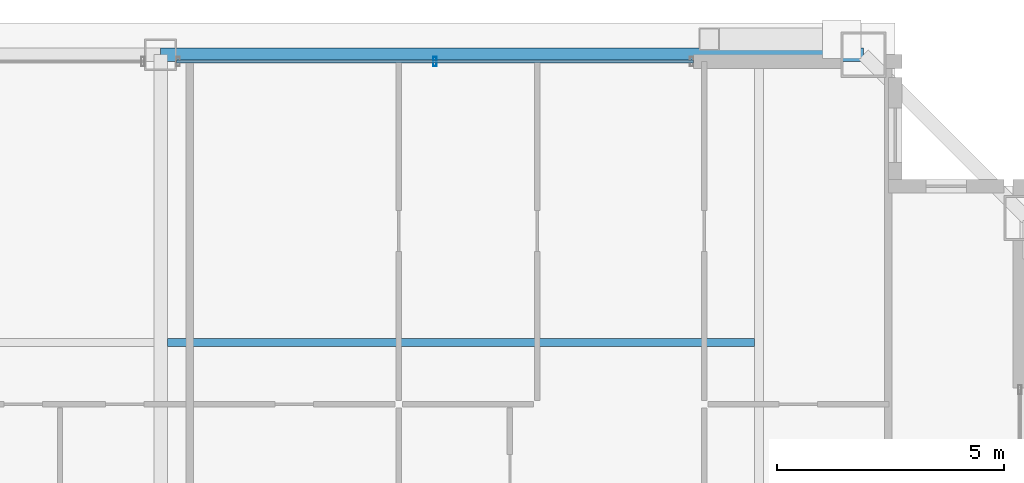
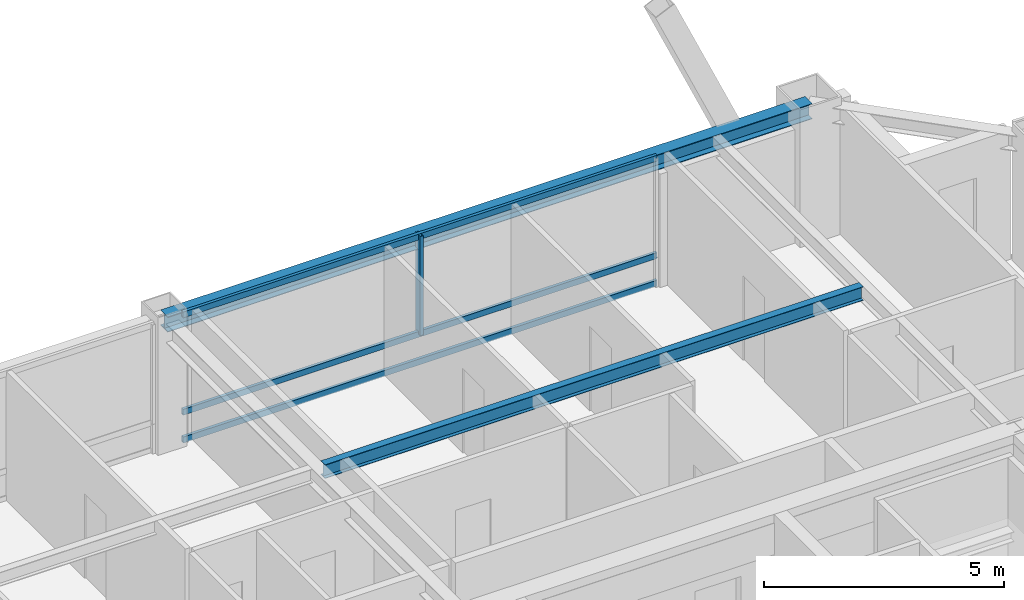
# One storey, part 17 of 33: 4 members, 2 beams, 1 element without a shape of its own.
"""IFC4 building model written with IfcOpenShell, lengths in metres."""

from ifc_helpers import new_model, si_unit, direction, frame, origin, origin_2d, place, context, subcontext, project, spatial, hollow_rectangle, i_section, extrude, source, transform, mapped, material, layer, layer_set, material_profile, profile_set, type_object, element, aggregate, save


model = new_model("IFC4")

# Units and contexts
model_context = context("Model", 3, precision=1e-05, world=origin(), true_north=direction((0.0, 1.0)))
body_context = subcontext(model_context, "Body", "Model", "MODEL_VIEW")
ifc_project = project(units=[si_unit("LENGTHUNIT", "METRE"), si_unit("AREAUNIT", "SQUARE_METRE"), si_unit("VOLUMEUNIT", "CUBIC_METRE"), si_unit("PLANEANGLEUNIT", "RADIAN"), si_unit("MASSUNIT", "GRAM", prefix="KILO"), si_unit("THERMODYNAMICTEMPERATUREUNIT", "KELVIN"), si_unit("POWERUNIT", "WATT")], contexts=[model_context])

# Site, building, storey
site_placement = place(None, origin())
site = spatial("IfcSite", under=ifc_project, at=site_placement, CompositionType="ELEMENT")
building_placement = place(site_placement, origin())
building = spatial("IfcBuilding", under=site, at=building_placement, Name="Yuzanri Waterfront Tower", CompositionType="ELEMENT")
storey_placement = place(building_placement, frame((0.0, 0.0, 292.60009765625)))
storey = spatial("IfcBuildingStorey", under=building, at=storey_placement, Name="L78", CompositionType="ELEMENT", Elevation=292.60009765625)

# Beams
ifc_material_1 = material(Name="Steel Q355B", Category="steel")
ifc_material_profile_1 = material_profile(ifc_material_1, i_section(OverallWidth=0.175048828125, OverallDepth=0.35009765625, WebThickness=0.007080078125, FlangeThickness=0.010986328125, at=origin_2d()), Name="HN 350x175x7x11")
ifc_profile_set_1 = profile_set([ifc_material_profile_1], Name="Steel Q355B")
beam_type_1 = type_object("IfcBeamType", Name="Floor Joist Q355B HN 350x175", PredefinedType="JOIST", material=ifc_profile_set_1)
shared_shape_1 = source(origin(), body_context, "Body", "SweptSolid", [
    extrude(i_section(OverallWidth=0.175048828125, OverallDepth=0.35009765625, WebThickness=0.007080078125, FlangeThickness=0.010986328125, at=origin_2d()), origin(), (0.0, 0.0, 1.0), 12.9501953125),
])
beam_1_placement = place(storey_placement, frame((37.14990234375, 38.550048828125, 3.10498046875), z_axis=(1.0, 0.0, 0.0), x_axis=(0.0, 1.0, 0.0)))
element("IfcBeam", 1, at=beam_1_placement, inside=storey, type_object=beam_type_1, Name="L78 North Bay Joist E", PredefinedType="JOIST", context=body_context, shape_type="MappedRepresentation", body=[
    mapped(shared_shape_1, transform((0.0, 0.0, 0.0), scale=1.0)),
])
ifc_material_2 = material(Name="Steel Q355B", Category="steel")
ifc_material_profile_2 = material_profile(ifc_material_2, i_section(OverallWidth=0.300048828125, OverallDepth=0.389892578125, WebThickness=0.010009765625, FlangeThickness=0.01611328125, at=origin_2d()), Name="HM 390x300x10x16")
ifc_profile_set_2 = profile_set([ifc_material_profile_2], Name="Steel Q355B")
beam_type_2 = type_object("IfcBeamType", Name="Perimeter Spandrel Q355B HM 390x300", PredefinedType="SPANDREL", material=ifc_profile_set_2)
shared_shape_2 = source(origin(), body_context, "Body", "SweptSolid", [
    extrude(i_section(OverallWidth=0.300048828125, OverallDepth=0.389892578125, WebThickness=0.010009765625, FlangeThickness=0.01611328125, at=origin_2d()), origin(), (0.0, 0.0, 1.0), 15.5),
])
beam_2_placement = place(storey_placement, frame((52.5, 44.89990234375, 3.0849609375), z_axis=(-1.0, 0.0, 0.0), x_axis=(0.0, -1.0, 0.0)))
element("IfcBeam", 2, at=beam_2_placement, inside=storey, type_object=beam_type_2, Name="L78 Perimeter Spandrel N3-N2", PredefinedType="SPANDREL", context=body_context, shape_type="MappedRepresentation", body=[
    mapped(shared_shape_2, transform((0.0, 0.0, 0.0), scale=1.0)),
])

# Curtain wall, members
ifc_material_3 = material(Name="Anodized Architectural Bronze", Category="metal")
ifc_layer = layer(ifc_material_3, 0.159912109375)
ifc_layer_set = layer_set([ifc_layer], Name="Anodized Architectural Bronze")
curtain_wall_type = type_object("IfcCurtainWallType", Name="Anodized Bronze High-Rise Penthouse High-Wind Unitized Curtain Wall 6900", PredefinedType="NOTDEFINED", material=ifc_layer_set)
curtain_wall_placement = place(storey_placement, origin())
curtain_wall = element("IfcCurtainWall", 3, at=curtain_wall_placement, inside=storey, type_object=curtain_wall_type, Name="L78 Curtain Wall CW-L78-NR", PredefinedType="NOTDEFINED")
ifc_material_4 = material(Name="Anodized Architectural Bronze", Category="metal")
ifc_material_profile_3 = material_profile(ifc_material_4, hollow_rectangle(XDim=0.074951171875, YDim=0.199951171875, WallThickness=0.00390625, at=origin_2d()), Name="CWM 75x200")
ifc_profile_set_3 = profile_set([ifc_material_profile_3], Name="Anodized Architectural Bronze")
member_type_1 = type_object("IfcMemberType", Name="Anodized Bronze Primary Curtain-Wall Mullion 75x200", PredefinedType="MULLION", material=ifc_profile_set_3)
shared_shape_3 = source(origin(), body_context, "Body", "SweptSolid", [
    extrude(hollow_rectangle(XDim=0.074951171875, YDim=0.199951171875, WallThickness=0.00390625, at=origin_2d()), origin(), (0.0, 0.0, 1.0), 2.52392578125),
])
member_1_placement = place(storey_placement, frame((43.050048828125, 44.75, 0.755859375), z_axis=(0.0, 0.0, 1.0), x_axis=(1.0, 0.0, 0.0)))
member_1 = element("IfcMember", 4, at=member_1_placement, type_object=member_type_1, Name="CW-L78-NR Upper Mullion 01", PredefinedType="MULLION", context=body_context, shape_type="MappedRepresentation", body=[
    mapped(shared_shape_3, transform((0.0, 0.0, 0.0), scale=1.0)),
])
ifc_material_5 = material(Name="Anodized Architectural Bronze", Category="metal")
ifc_material_profile_4 = material_profile(ifc_material_5, hollow_rectangle(XDim=0.074951171875, YDim=0.14990234375, WallThickness=0.00390625, at=origin_2d()), Name="CWT 75x150")
ifc_profile_set_4 = profile_set([ifc_material_profile_4], Name="Anodized Architectural Bronze")
member_type_2 = type_object("IfcMemberType", Name="Anodized Bronze Primary Curtain-Wall Transom 75x150", PredefinedType="USERDEFINED", material=ifc_profile_set_4)
shared_shape_4 = source(origin(), body_context, "Body", "SweptSolid", [
    extrude(hollow_rectangle(XDim=0.074951171875, YDim=0.14990234375, WallThickness=0.00390625, at=origin_2d()), origin(), (0.0, 0.0, 1.0), 11.39990234375),
])
member_2_placement = place(storey_placement, frame((37.35009765625, 44.75, 0.0498046875), z_axis=(1.0, 0.0, 0.0), x_axis=(0.0, 1.0, 0.0)))
member_2 = element("IfcMember", 5, at=member_2_placement, type_object=member_type_2, Name="CW-L78-NR Transom 1", ObjectType="TRANSOM", PredefinedType="USERDEFINED", context=body_context, shape_type="MappedRepresentation", body=[
    mapped(shared_shape_4, transform((0.0, 0.0, 0.0), scale=1.0)),
])
member_3_placement = place(storey_placement, frame((37.35009765625, 44.75, 0.75390625), z_axis=(1.0, 0.0, 0.0), x_axis=(0.0, 1.0, 0.0)))
member_3 = element("IfcMember", 6, at=member_3_placement, type_object=member_type_2, Name="CW-L78-NR Transom 2", ObjectType="TRANSOM", PredefinedType="USERDEFINED", context=body_context, shape_type="MappedRepresentation", body=[
    mapped(shared_shape_4, transform((0.0, 0.0, 0.0), scale=1.0)),
])
member_4_placement = place(storey_placement, frame((37.35009765625, 44.75, 3.22998046875), z_axis=(1.0, 0.0, 0.0), x_axis=(0.0, 1.0, 0.0)))
member_4 = element("IfcMember", 7, at=member_4_placement, type_object=member_type_2, Name="CW-L78-NR Transom 3", ObjectType="TRANSOM", PredefinedType="USERDEFINED", context=body_context, shape_type="MappedRepresentation", body=[
    mapped(shared_shape_4, transform((0.0, 0.0, 0.0), scale=1.0)),
])
aggregate(curtain_wall, [member_1, member_2, member_3, member_4])

save(model, "model.ifc")
